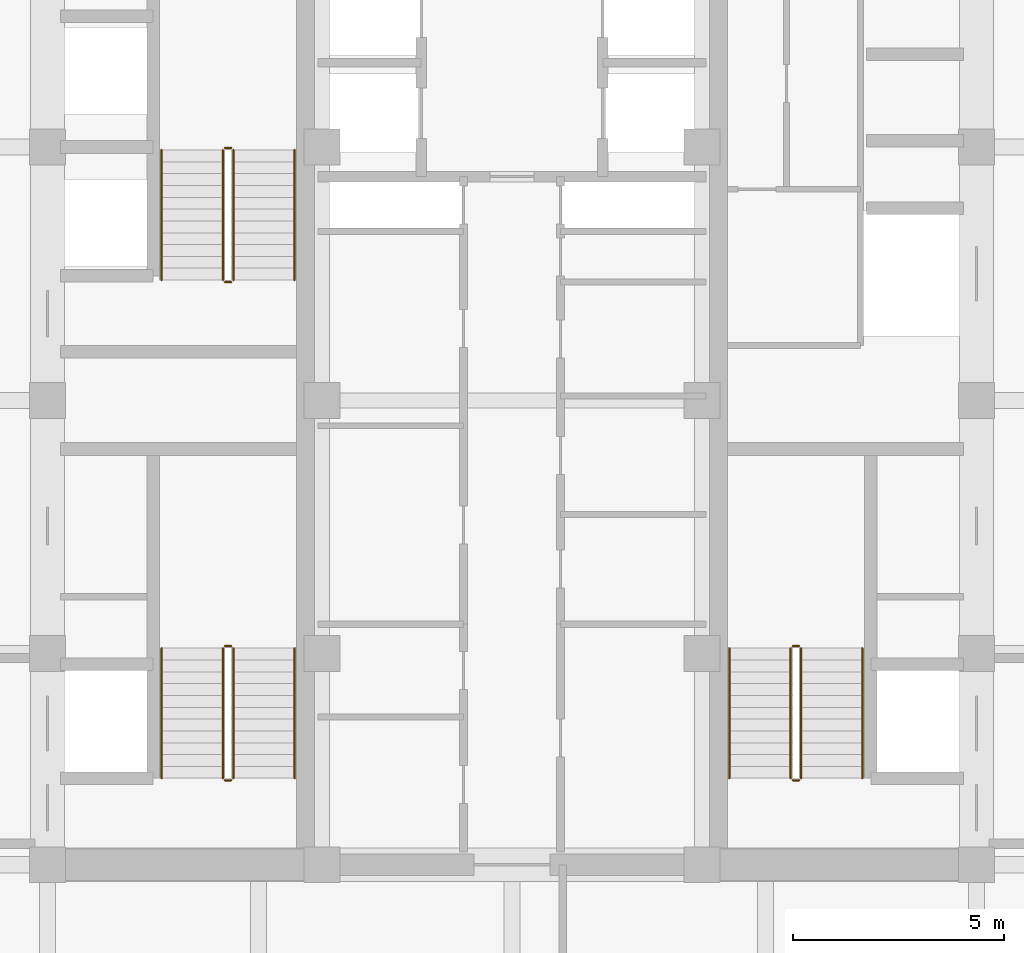
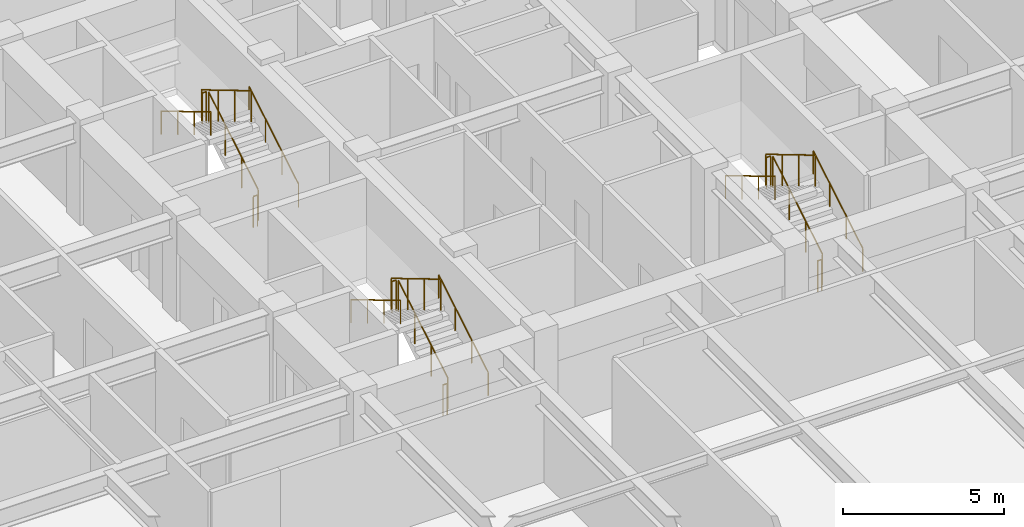
# One storey, part 24 of 24: 18 railings.
"""IFC4 building model written with IfcOpenShell, lengths in metres."""

from ifc_helpers import new_model, si_unit, direction, frame, origin, origin_2d, place, context, subcontext, project, spatial, circle, extrude, source, transform, mapped, material, type_object, element, save


model = new_model("IFC4")

# Units and contexts
model_context = context("Model", 3, precision=1e-05, world=origin(), true_north=direction((0.0, 1.0)))
body_context = subcontext(model_context, "Body", "Model", "MODEL_VIEW")
ifc_project = project(units=[si_unit("LENGTHUNIT", "METRE"), si_unit("AREAUNIT", "SQUARE_METRE"), si_unit("VOLUMEUNIT", "CUBIC_METRE"), si_unit("PLANEANGLEUNIT", "RADIAN"), si_unit("MASSUNIT", "GRAM", prefix="KILO")], contexts=[model_context])

# Site, building, storey
site_placement = place(None, origin())
site = spatial("IfcSite", under=ifc_project, at=site_placement, CompositionType="ELEMENT")
building_placement = place(site_placement, origin())
building = spatial("IfcBuilding", under=site, at=building_placement, Name="Khorayat Bourse Tower", CompositionType="ELEMENT")
storey_placement = place(building_placement, frame((0.0, 0.0, 163.10009765625)))
storey = spatial("IfcBuildingStorey", under=building, at=storey_placement, Name="L37", CompositionType="ELEMENT", Elevation=163.10009765625)

# Railings
ifc_material_1 = material(Name="Powder-coated steel balustrade", Category="steel")
railing_type_1 = type_object("IfcRailingType", Name="RLG-GUARD-1200", PredefinedType="GUARDRAIL", material=ifc_material_1)
shared_shape_1 = source(origin(), body_context, "Body", "SweptSolid", [
    extrude(circle(Radius=0.02392578125, at=origin_2d()), frame((0.0, 0.0, 1.17578125), z_axis=(-1.0, 0.0, 0.0), x_axis=(0.0, -1.0, 0.0)), (0.0, 0.0, 1.0), 0.150146484375),
    extrude(circle(Radius=0.02099609375, at=origin_2d()), origin(), (0.0, 0.0, 1.0), 1.15185546875),
    extrude(circle(Radius=0.02099609375, at=origin_2d()), frame((-0.150146484375, 0.0, 0.0)), (0.0, 0.0, 1.0), 1.15185546875),
])
for number, where, name in (
    (1, (-6.64990234375, -5.820068359375, 2.0), "L37 ST-1 stair guard 2"),
    (2, (-6.64990234375, -9.0, 0.0), "L37 ST-1 stair guard 4"),
    (3, (-6.64990234375, 5.97998046875, 2.0), "L37 ST-2 stair guard 2"),
    (4, (-6.64990234375, 2.800048828125, 0.0), "L37 ST-2 stair guard 4"),
    (5, (6.800048828125, -5.820068359375, 2.0), "L37 ST-3 stair guard 2"),
    (6, (6.800048828125, -9.0, 0.0), "L37 ST-3 stair guard 4"),
):
    element("IfcRailing", number, at=place(storey_placement, frame(where)), inside=storey, type_object=railing_type_1, Name=name, PredefinedType="GUARDRAIL", context=body_context, shape_type="MappedRepresentation", body=[
        mapped(shared_shape_1, transform((0.0, 0.0, 0.0), scale=1.0)),
    ])
shared_shape_2 = source(origin(), body_context, "Body", "SweptSolid", [
    extrude(circle(Radius=0.02392578125, at=origin_2d()), frame((0.0, 0.0, 1.17578125), z_axis=(0.0, 0.859260807169, 0.511537745687), x_axis=(-1.0, 0.0, 0.0)), (0.0, 0.0, 1.0), 3.584228515625),
    extrude(circle(Radius=0.02099609375, at=origin_2d()), origin(), (0.0, 0.0, 1.0), 1.15185546875),
    extrude(circle(Radius=0.02099609375, at=origin_2d()), frame((0.0, 1.026611328125, 0.611083984375)), (0.0, 0.0, 1.0), 1.15185546875),
    extrude(circle(Radius=0.02099609375, at=origin_2d()), frame((0.0, 2.05322265625, 1.222412109375)), (0.0, 0.0, 1.0), 1.15185546875),
    extrude(circle(Radius=0.02099609375, at=origin_2d()), frame((0.0, 3.079833984375, 1.83349609375)), (0.0, 0.0, 1.0), 1.15185546875),
])
for number, where, name in (
    (7, (-6.60009765625, -8.949951171875, 0.16650390625), "L37 ST-1 stair guard 1"),
    (8, (-6.60009765625, 2.85009765625, 0.16650390625), "L37 ST-2 stair guard 1"),
    (9, (6.85009765625, -8.949951171875, 0.16650390625), "L37 ST-3 stair guard 1"),
):
    element("IfcRailing", number, at=place(storey_placement, frame(where)), inside=storey, type_object=railing_type_1, Name=name, PredefinedType="GUARDRAIL", context=body_context, shape_type="MappedRepresentation", body=[
        mapped(shared_shape_2, transform((0.0, 0.0, 0.0), scale=1.0)),
    ])
shared_shape_3 = source(origin(), body_context, "Body", "SweptSolid", [
    extrude(circle(Radius=0.02392578125, at=origin_2d()), frame((0.0, 0.0, 1.17578125), z_axis=(0.0, -0.859260807169, 0.511537745687), x_axis=(1.0, 0.0, 0.0)), (0.0, 0.0, 1.0), 3.584228515625),
    extrude(circle(Radius=0.02099609375, at=origin_2d()), origin(), (0.0, 0.0, 1.0), 1.15185546875),
    extrude(circle(Radius=0.02099609375, at=origin_2d()), frame((0.0, -1.026611328125, 0.611083984375)), (0.0, 0.0, 1.0), 1.15185546875),
    extrude(circle(Radius=0.02099609375, at=origin_2d()), frame((0.0, -2.05322265625, 1.222412109375)), (0.0, 0.0, 1.0), 1.15185546875),
    extrude(circle(Radius=0.02099609375, at=origin_2d()), frame((0.0, -3.079833984375, 1.83349609375)), (0.0, 0.0, 1.0), 1.15185546875),
])
for number, where, name in (
    (10, (-6.85009765625, -5.8701171875, 2.16650390625), "L37 ST-1 stair guard 3"),
    (11, (-6.85009765625, 5.929931640625, 2.16650390625), "L37 ST-2 stair guard 3"),
    (12, (6.60009765625, -5.8701171875, 2.16650390625), "L37 ST-3 stair guard 3"),
):
    element("IfcRailing", number, at=place(storey_placement, frame(where)), inside=storey, type_object=railing_type_1, Name=name, PredefinedType="GUARDRAIL", context=body_context, shape_type="MappedRepresentation", body=[
        mapped(shared_shape_3, transform((0.0, 0.0, 0.0), scale=1.0)),
    ])
ifc_material_2 = material(Name="Brushed bronze stainless-steel handrail", Category="steel")
railing_type_2 = type_object("IfcRailingType", Name="RLG-HAND-900", PredefinedType="HANDRAIL", material=ifc_material_2)
shared_shape_4 = source(origin(), body_context, "Body", "SweptSolid", [
    extrude(circle(Radius=0.02392578125, at=origin_2d()), frame((0.0, 0.0, 0.8759765625), z_axis=(0.0, 0.859260807169, 0.511537745687), x_axis=(-1.0, 0.0, 0.0)), (0.0, 0.0, 1.0), 3.584228515625),
    extrude(circle(Radius=0.02099609375, at=origin_2d()), origin(), (0.0, 0.0, 1.0), 0.851806640625),
    extrude(circle(Radius=0.02099609375, at=origin_2d()), frame((0.0, 1.026611328125, 0.611083984375)), (0.0, 0.0, 1.0), 0.851806640625),
    extrude(circle(Radius=0.02099609375, at=origin_2d()), frame((0.0, 2.05322265625, 1.222412109375)), (0.0, 0.0, 1.0), 0.851806640625),
    extrude(circle(Radius=0.02099609375, at=origin_2d()), frame((0.0, 3.079833984375, 1.83349609375)), (0.0, 0.0, 1.0), 0.851806640625),
])
for number, where, name in (
    (13, (-5.14990234375, -8.949951171875, 0.16650390625), "L37 ST-1 stair handrail 1"),
    (14, (-5.14990234375, 2.85009765625, 0.16650390625), "L37 ST-2 stair handrail 1"),
    (15, (8.300048828125, -8.949951171875, 0.16650390625), "L37 ST-3 stair handrail 1"),
):
    element("IfcRailing", number, at=place(storey_placement, frame(where)), inside=storey, type_object=railing_type_2, Name=name, PredefinedType="HANDRAIL", context=body_context, shape_type="MappedRepresentation", body=[
        mapped(shared_shape_4, transform((0.0, 0.0, 0.0), scale=1.0)),
    ])
shared_shape_5 = source(origin(), body_context, "Body", "SweptSolid", [
    extrude(circle(Radius=0.02392578125, at=origin_2d()), frame((0.0, 0.0, 0.8759765625), z_axis=(0.0, -0.859260807169, 0.511537745687), x_axis=(1.0, 0.0, 0.0)), (0.0, 0.0, 1.0), 3.584228515625),
    extrude(circle(Radius=0.02099609375, at=origin_2d()), origin(), (0.0, 0.0, 1.0), 0.851806640625),
    extrude(circle(Radius=0.02099609375, at=origin_2d()), frame((0.0, -1.026611328125, 0.611083984375)), (0.0, 0.0, 1.0), 0.851806640625),
    extrude(circle(Radius=0.02099609375, at=origin_2d()), frame((0.0, -2.05322265625, 1.222412109375)), (0.0, 0.0, 1.0), 0.851806640625),
    extrude(circle(Radius=0.02099609375, at=origin_2d()), frame((0.0, -3.079833984375, 1.83349609375)), (0.0, 0.0, 1.0), 0.851806640625),
])
for number, where, name in (
    (16, (-8.300048828125, -5.8701171875, 2.16650390625), "L37 ST-1 stair handrail 2"),
    (17, (-8.300048828125, 5.929931640625, 2.16650390625), "L37 ST-2 stair handrail 2"),
    (18, (5.14990234375, -5.8701171875, 2.16650390625), "L37 ST-3 stair handrail 2"),
):
    element("IfcRailing", number, at=place(storey_placement, frame(where)), inside=storey, type_object=railing_type_2, Name=name, PredefinedType="HANDRAIL", context=body_context, shape_type="MappedRepresentation", body=[
        mapped(shared_shape_5, transform((0.0, 0.0, 0.0), scale=1.0)),
    ])

save(model, "model.ifc")
